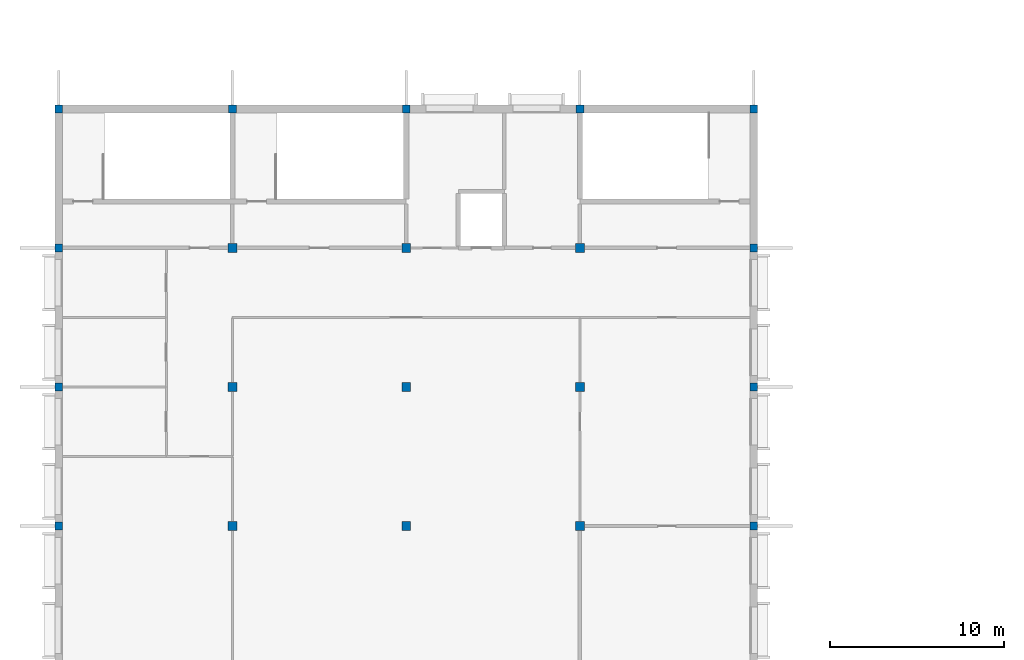
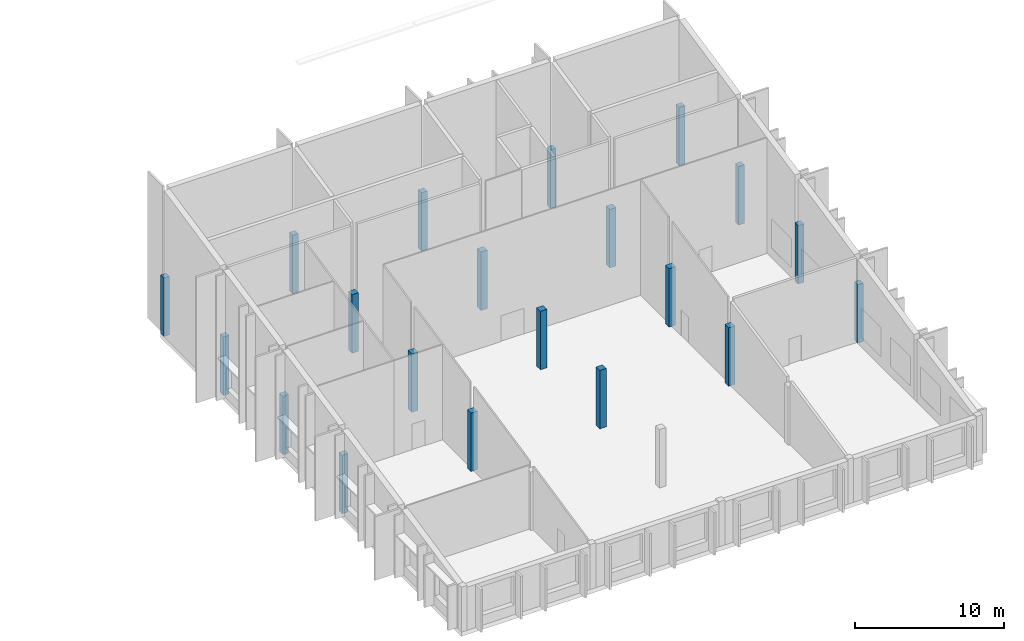
# One storey, part 3 of 69: 20 columns.
"""IFC4 building model written with IfcOpenShell, lengths in metres."""

import ifcopenshell
import ifcopenshell.guid

model = None  # the IFC model being written
_history = None  # IfcOwnerHistory: only IFC2X3 demands one
_inside = {}  # id of a spatial element -> (the spatial element, [elements in it])
_under = {}  # id of a project, library or spatial element -> (it, [spatial elements below it])
_declared = {}  # id of a project -> (the project, [libraries it declares])
_typed = {}  # id of a type object -> (the type object, [elements of that type])
_made_of = {}  # id of a material, layer set ... -> (it, [elements and type objects made of it])


def new_model(schema):
    """Start an empty IFC model of exactly this schema.

    Asked for "IFC4X3", IfcOpenShell would pick the latest addendum, in which some entities
    have other attributes; the version numbers below select the first issue.
    IFC2X3 requires an IfcOwnerHistory on every rooted entity: one is made here for all.
    """
    global model, _history
    if schema == "IFC4X3":
        model = ifcopenshell.file(schema_version=(4, 3, 0, 0))
    else:
        model = ifcopenshell.file(schema=schema)
    _inside.clear()
    _under.clear()
    _declared.clear()
    _typed.clear()
    _made_of.clear()
    _history = None
    if model.schema == "IFC2X3":
        org = make("IfcOrganization", Name="unknown")
        user = make(
            "IfcPersonAndOrganization",
            ThePerson=make("IfcPerson", FamilyName="unknown"),
            TheOrganization=org,
        )
        app = make(
            "IfcApplication",
            ApplicationDeveloper=org,
            Version="unknown",
            ApplicationFullName="unknown",
            ApplicationIdentifier="unknown",
        )
        _history = make(
            "IfcOwnerHistory",
            OwningUser=user,
            OwningApplication=app,
            ChangeAction="ADDED",
            CreationDate=0,
        )
    return model


def make(cls, **values):
    """One entity of the class cls with the attributes given. An attribute that is None is left unset."""
    return model.create_entity(
        cls, **{name: value for name, value in values.items() if value is not None}
    )


def rooted(cls, **values):
    """An entity with a GlobalId (a new one), such as an element, a storey or a relation."""
    return make(cls, GlobalId=ifcopenshell.guid.new(), OwnerHistory=_history, **values)


def si_unit(unit_type, name, prefix=None):
    """IfcSIUnit, for example si_unit("LENGTHUNIT", "METRE", prefix="MILLI")."""
    return make("IfcSIUnit", UnitType=unit_type, Prefix=prefix, Name=name)


def assignment(units):
    """IfcUnitAssignment: the units of a project."""
    return None if units is None else make("IfcUnitAssignment", Units=units)


def point(xyz):
    """IfcCartesianPoint."""
    return None if xyz is None else make("IfcCartesianPoint", Coordinates=xyz)


def direction(xyz):
    """IfcDirection."""
    return None if xyz is None else make("IfcDirection", DirectionRatios=xyz)


def frame(location, z_axis=None, x_axis=None):
    """IfcAxis2Placement3D, a coordinate frame: its origin and axes. An axis left out is left unset."""
    return make(
        "IfcAxis2Placement3D",
        Location=point(location),
        Axis=direction(z_axis),
        RefDirection=direction(x_axis),
    )


def frame_2d(location, x_axis=None):
    """IfcAxis2Placement2D, a coordinate frame in the plane: its origin and x axis."""
    return make(
        "IfcAxis2Placement2D", Location=point(location), RefDirection=direction(x_axis)
    )


def origin():
    """The frame at (0, 0, 0) with its axes left unset."""
    return frame((0.0, 0.0, 0.0))


def origin_2d():
    """The frame at (0, 0) in the plane with its x axis left unset."""
    return frame_2d((0.0, 0.0))


def place(relative_to, where):
    """IfcLocalPlacement: puts the frame where relative to a parent placement (None: the world)."""
    return make(
        "IfcLocalPlacement", PlacementRelTo=relative_to, RelativePlacement=where
    )


def context(
    kind, dimensions, precision=None, world=None, true_north=None, identifier=None
):
    """IfcGeometricRepresentationContext, for example the 3D "Model" context."""
    return make(
        "IfcGeometricRepresentationContext",
        ContextIdentifier=identifier,
        ContextType=kind,
        CoordinateSpaceDimension=dimensions,
        Precision=precision,
        WorldCoordinateSystem=world,
        TrueNorth=true_north,
    )


def subcontext(parent, identifier, kind, view, scale=None):
    """IfcGeometricRepresentationSubContext, for example "Body" below "Model"."""
    return make(
        "IfcGeometricRepresentationSubContext",
        ContextIdentifier=identifier,
        ContextType=kind,
        ParentContext=parent,
        TargetScale=scale,
        TargetView=view,
    )


def project(units=None, contexts=None):
    """IfcProject with its units and contexts."""
    return rooted(
        "IfcProject",
        Name="project",
        RepresentationContexts=contexts,
        UnitsInContext=assignment(units),
    )


def spatial(cls, under=None, at=None, **own):
    """A site, building, storey or space (cls), placed at a placement, below another one or the project."""
    s = rooted(cls, ObjectPlacement=at, **own)
    if under is not None:
        _under.setdefault(under.id(), (under, []))[1].append(s)
    return s


def profile(cls, at=None, kind="AREA", **sizes):
    """A parametric profile (cls). Its sizes go by their IFC names, for example OverallWidth=200.0."""
    return make(cls, ProfileType=kind, Position=at, **sizes)


def rectangle(**sizes):
    """IfcRectangleProfileDef."""
    return profile("IfcRectangleProfileDef", **sizes)


def extrude(swept, where, along, depth):
    """IfcExtrudedAreaSolid: the profile swept, set in the frame where, extruded along a direction by depth."""
    return make(
        "IfcExtrudedAreaSolid",
        SweptArea=swept,
        Position=where,
        ExtrudedDirection=direction(along),
        Depth=depth,
    )


def shape(context_of_items, identifier, shape_type, items):
    """IfcShapeRepresentation: the items that make up one representation, for example the "Body"."""
    return make(
        "IfcShapeRepresentation",
        ContextOfItems=context_of_items,
        RepresentationIdentifier=identifier,
        RepresentationType=shape_type,
        Items=items,
    )


def material(Name=None, Category=None):
    """IfcMaterial."""
    return make("IfcMaterial", Name=Name, Category=Category)


def material_profile(
    of_material, cross_section, Name=None, Category=None, Priority=None
):
    """IfcMaterialProfile: a cross section and its material."""
    return make(
        "IfcMaterialProfile",
        Name=Name,
        Material=of_material,
        Profile=cross_section,
        Priority=Priority,
        Category=Category,
    )


def profile_set(profiles, Name=None, composite=None):
    """IfcMaterialProfileSet."""
    return make(
        "IfcMaterialProfileSet",
        Name=Name,
        MaterialProfiles=profiles,
        CompositeProfile=composite,
    )


def made_of(thing, what):
    """Note that an element or type object is made of a material, layer set ...; save() writes the relation."""
    if what is not None:
        _made_of.setdefault(what.id(), (what, []))[1].append(thing)
    return thing


def type_object(cls, material=None, **own):
    """A type object (cls), such as IfcWallType, which elements share."""
    return made_of(rooted(cls, **own), material)


def element(
    cls,
    number,
    at=None,
    inside=None,
    cuts=None,
    type_object=None,
    material=None,
    context=None,
    identifier="Body",
    shape_type=None,
    held_by="IfcProductDefinitionShape",
    body=None,
    shapes=None,
    **own,
):
    """One element of the class cls, such as IfcWall. Its Tag is "e" and its number.

    at: its placement. inside: the storey or other place that contains it. cuts: it is an
    opening in that element (IfcRelVoidsElement). A single representation is given by context,
    identifier, shape_type and body (its items); several are given by shapes. held_by: the class
    of the entity that holds the representations. save() writes the other relations.
    """
    e = rooted(cls, Tag="e%d" % number, ObjectPlacement=at, **own)
    if body is not None:
        shapes = [shape(context, identifier, shape_type, body)]
    if shapes is not None:
        e.Representation = make(held_by, Representations=shapes)
    if inside is not None:
        _inside.setdefault(inside.id(), (inside, []))[1].append(e)
    if cuts is not None:
        rooted(
            "IfcRelVoidsElement", RelatingBuildingElement=cuts, RelatedOpeningElement=e
        )
    if type_object is not None:
        _typed.setdefault(type_object.id(), (type_object, []))[1].append(e)
    return made_of(e, material)


def aggregate(whole, parts):
    """IfcRelAggregates: a whole, such as a stair, and the parts it consists of."""
    return rooted("IfcRelAggregates", RelatingObject=whole, RelatedObjects=parts)


def save(model, path):
    """Write the relations noted so far, then the file.

    IfcRelAggregates (storeys below a building ...), IfcRelContainedInSpatialStructure (elements
    in a storey), IfcRelDefinesByType, IfcRelAssociatesMaterial and IfcRelDeclares: one each for
    every whole, place, type object, material and project.
    """
    for whole, parts in _under.values():
        aggregate(whole, parts)
    for where, things in _inside.values():
        rooted(
            "IfcRelContainedInSpatialStructure",
            RelatedElements=things,
            RelatingStructure=where,
        )
    for kind, things in _typed.values():
        rooted("IfcRelDefinesByType", RelatedObjects=things, RelatingType=kind)
    for what, things in _made_of.values():
        rooted("IfcRelAssociatesMaterial", RelatedObjects=things, RelatingMaterial=what)
    for by, libraries in _declared.values():
        rooted("IfcRelDeclares", RelatingContext=by, RelatedDefinitions=libraries)
    model.write(path)


model = new_model("IFC4")

# Units and contexts
model_context = context("Model", 3, precision=1e-05, world=origin(), true_north=direction((0.0, 1.0)))
body_context = subcontext(model_context, "Body", "Model", "MODEL_VIEW")
ifc_project = project(units=[si_unit("LENGTHUNIT", "METRE"), si_unit("AREAUNIT", "SQUARE_METRE"), si_unit("VOLUMEUNIT", "CUBIC_METRE"), si_unit("PLANEANGLEUNIT", "RADIAN"), si_unit("MASSUNIT", "GRAM", prefix="KILO")], contexts=[model_context])

# Site, building, storey
site_placement = place(None, origin())
site = spatial("IfcSite", under=ifc_project, at=site_placement, CompositionType="ELEMENT")
building_placement = place(site_placement, origin())
building = spatial("IfcBuilding", under=site, at=building_placement, Name="Okhra Congress Centre", CompositionType="ELEMENT")
storey_placement = place(building_placement, frame((0.0, 0.0, 16.800048828125)))
storey = spatial("IfcBuildingStorey", under=building, at=storey_placement, Name="L03", CompositionType="ELEMENT", Elevation=16.800048828125)

# Columns
ifc_material = material(Name="Concrete C35/45", Category="concrete")
ifc_material_profile_1 = material_profile(ifc_material, rectangle(XDim=0.449951171875, YDim=0.449951171875, at=origin_2d()), Name="RC 450x450")
ifc_profile_set_1 = profile_set([ifc_material_profile_1], Name="Concrete C35/45")
column_type_1 = type_object("IfcColumnType", Name="RC column 450x450 C35/45", PredefinedType="COLUMN", material=ifc_profile_set_1)
for number, where, z_axis, x_axis, name in (
    (1, (6.0, 60.0, 0.0), (0.0, 0.0, 1.0), (1.0, 0.0, 0.0), "RS.COL.L03.3"),
    (2, (6.0, 68.0, 0.0), (0.0, 0.0, 1.0), (1.0, 0.0, 0.0), "RS.COL.L03.4"),
    (3, (6.0, 76.0, 0.0), (0.0, 0.0, 1.0), (1.0, 0.0, 0.0), "RS.COL.L03.5"),
    (4, (6.0, 84.0, 0.0), (0.0, 0.0, 1.0), (1.0, 0.0, 0.0), "RS.COL.L03.6"),
    (5, (16.0, 84.0, 0.0), (0.0, 0.0, 1.0), (1.0, 0.0, 0.0), "RS.COL.L03.12"),
    (6, (26.0, 84.0, 0.0), (0.0, 0.0, 1.0), (1.0, 0.0, 0.0), "RS.COL.L03.18"),
    (7, (36.0, 84.0, 0.0), (0.0, 0.0, 1.0), (1.0, 0.0, 0.0), "RS.COL.L03.24"),
    (8, (46.0, 60.0, 0.0), (0.0, 0.0, 1.0), (1.0, 0.0, 0.0), "RS.COL.L03.27"),
    (9, (46.0, 68.0, 0.0), (0.0, 0.0, 1.0), (1.0, 0.0, 0.0), "RS.COL.L03.28"),
    (10, (46.0, 76.0, 0.0), (0.0, 0.0, 1.0), (1.0, 0.0, 0.0), "RS.COL.L03.29"),
    (11, (46.0, 84.0, 0.0), (0.0, 0.0, 1.0), (1.0, 0.0, 0.0), "RS.COL.L03.30"),
):
    element("IfcColumn", number, at=place(storey_placement, frame(where, z_axis=z_axis, x_axis=x_axis)), inside=storey, type_object=column_type_1, Name=name, PredefinedType="COLUMN", context=body_context, shape_type="SweptSolid", body=[
        extrude(rectangle(XDim=0.449951171875, YDim=0.449951171875, at=origin_2d()), origin(), (0.0, 0.0, 1.0), 4.800048828125),
    ])
ifc_material_profile_2 = material_profile(ifc_material, rectangle(XDim=0.5, YDim=0.5, at=origin_2d()), Name="RC 500x500")
ifc_profile_set_2 = profile_set([ifc_material_profile_2], Name="Concrete C35/45")
column_type_2 = type_object("IfcColumnType", Name="RC column 500x500 C35/45", PredefinedType="COLUMN", material=ifc_profile_set_2)
for number, where, z_axis, x_axis, name in (
    (12, (16.0, 60.0, 0.0), (0.0, 0.0, 1.0), (1.0, 0.0, 0.0), "RS.COL.L03.9"),
    (13, (16.0, 68.0, 0.0), (0.0, 0.0, 1.0), (1.0, 0.0, 0.0), "RS.COL.L03.10"),
    (14, (16.0, 76.0, 0.0), (0.0, 0.0, 1.0), (1.0, 0.0, 0.0), "RS.COL.L03.11"),
    (15, (26.0, 60.0, 0.0), (0.0, 0.0, 1.0), (1.0, 0.0, 0.0), "RS.COL.L03.15"),
    (16, (26.0, 68.0, 0.0), (0.0, 0.0, 1.0), (1.0, 0.0, 0.0), "RS.COL.L03.16"),
    (17, (26.0, 76.0, 0.0), (0.0, 0.0, 1.0), (1.0, 0.0, 0.0), "RS.COL.L03.17"),
    (18, (36.0, 60.0, 0.0), (0.0, 0.0, 1.0), (1.0, 0.0, 0.0), "RS.COL.L03.21"),
    (19, (36.0, 68.0, 0.0), (0.0, 0.0, 1.0), (1.0, 0.0, 0.0), "RS.COL.L03.22"),
    (20, (36.0, 76.0, 0.0), (0.0, 0.0, 1.0), (1.0, 0.0, 0.0), "RS.COL.L03.23"),
):
    element("IfcColumn", number, at=place(storey_placement, frame(where, z_axis=z_axis, x_axis=x_axis)), inside=storey, type_object=column_type_2, Name=name, PredefinedType="COLUMN", context=body_context, shape_type="SweptSolid", body=[
        extrude(rectangle(XDim=0.5, YDim=0.5, at=origin_2d()), origin(), (0.0, 0.0, 1.0), 4.800048828125),
    ])

save(model, "model.ifc")
